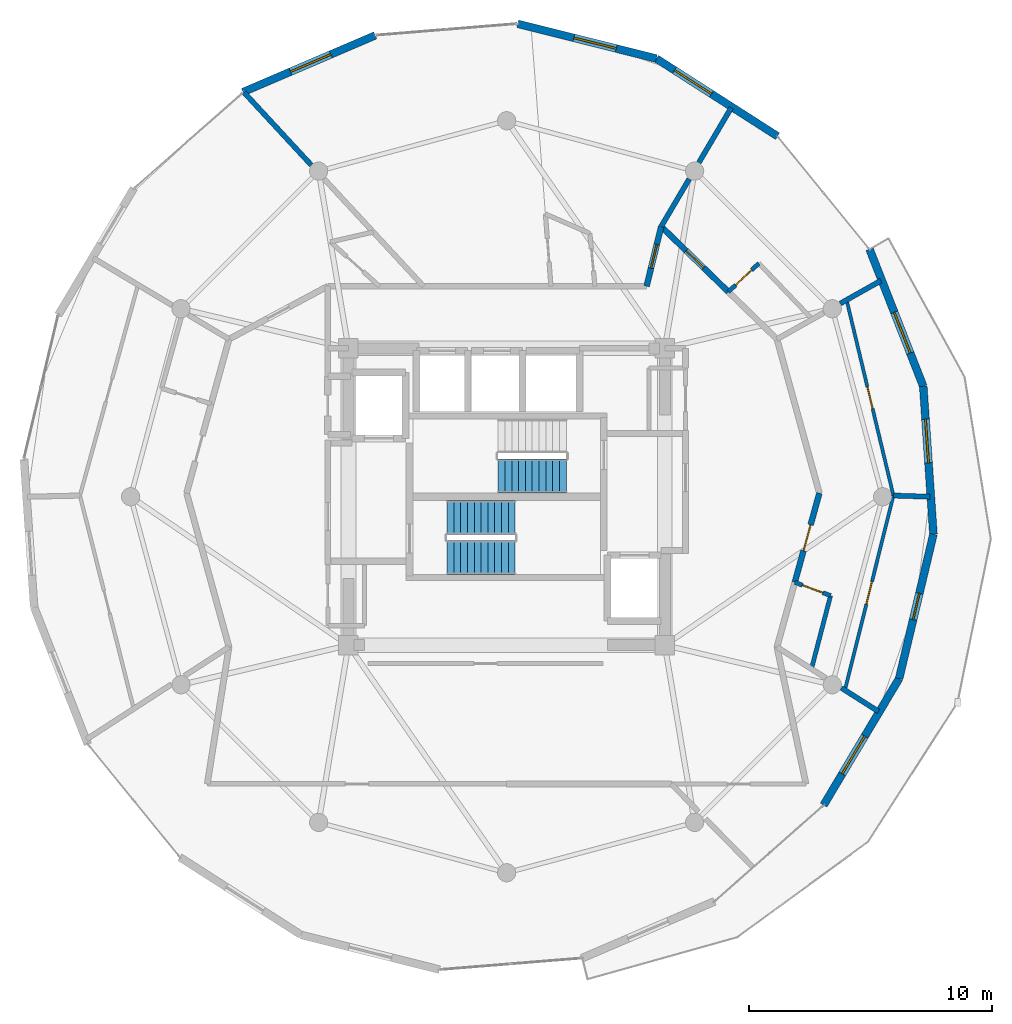
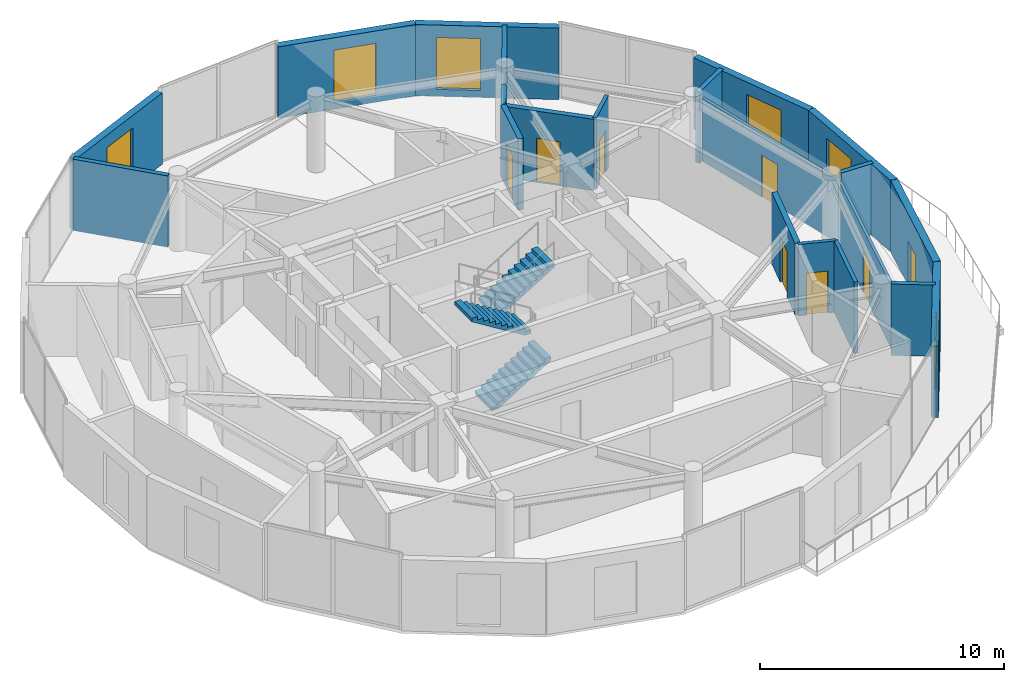
# One storey, part 19 of 22: 21 walls, 8 doors, 6 windows, 3 stair flights, 14 openings, 2 elements without a shape of their own.
"""IFC4 building model written with IfcOpenShell, lengths in metres."""

from ifc_helpers import new_model, si_unit, direction, frame, frame_2d, origin, place, context, subcontext, project, spatial, polyline, rectangle, outline, extrude, material, layer, layer_set, type_object, element, fill, aggregate, save


model = new_model("IFC4")

# Units and contexts
model_context = context("Model", 3, precision=1e-05, world=origin(), true_north=direction((0.0, 1.0)))
body_context = subcontext(model_context, "Body", "Model", "MODEL_VIEW")
ifc_project = project(units=[si_unit("LENGTHUNIT", "METRE"), si_unit("AREAUNIT", "SQUARE_METRE"), si_unit("VOLUMEUNIT", "CUBIC_METRE"), si_unit("PLANEANGLEUNIT", "RADIAN"), si_unit("MASSUNIT", "GRAM", prefix="KILO")], contexts=[model_context])

# Site, building, storey
site_placement = place(None, origin())
site = spatial("IfcSite", under=ifc_project, at=site_placement, CompositionType="ELEMENT")
building_placement = place(site_placement, origin())
building = spatial("IfcBuilding", under=site, at=building_placement, Name="Solvirekh Grand Hotel", CompositionType="ELEMENT")
storey_placement = place(building_placement, frame((0.0, 0.0, 293.39990234375)))
storey = spatial("IfcBuildingStorey", under=building, at=storey_placement, Name="L76", CompositionType="ELEMENT", Elevation=293.39990234375)

# Wall, opening, window
ifc_material_1 = material(Name="Precast concrete C45/55", Category="concrete")
ifc_layer_1 = layer(ifc_material_1, 0.320068359375)
ifc_layer_set_1 = layer_set([ifc_layer_1], Name="Precast concrete C45/55")
wall_type_1 = type_object("IfcWallType", Name="ExtLobbyWall_RC320", PredefinedType="SOLIDWALL", material=ifc_layer_set_1)
wall_1_placement = place(storey_placement, frame((16.1259765625, -7.472900390625, 0.0), z_axis=(0.0, 0.0, 1.0), x_axis=(-0.512459907896, -0.858711152134, 0.0)))
wall_1 = element("IfcWall", 1, at=wall_1_placement, inside=storey, type_object=wall_type_1, Name="L76 exterior structural wall chord 4", PredefinedType="SOLIDWALL", context=body_context, shape_type="SweptSolid", body=[
    extrude(rectangle(XDim=6.05322265625, YDim=0.320068359375, at=frame_2d((3.026611328125, 0.0))), origin(), (0.0, 0.0, 1.0), 3.570068359375),
])
opening_1_placement = place(wall_1_placement, frame((2.75390625, 0.0, 0.35009765625)))
opening_1 = element("IfcOpeningElement", 2, at=opening_1_placement, cuts=wall_1, Name="Opening W02", PredefinedType="OPENING", context=body_context, shape_type="SweptSolid", body=[
    extrude(rectangle(XDim=1.800048828125, YDim=2.60009765625, at=frame_2d((0.89990234375, 1.300048828125))), frame((0.0, 0.169921875, 0.0), z_axis=(0.0, -1.0, 0.0), x_axis=(1.0, 0.0, 0.0)), (0.0, 0.0, 1.0), 0.340087890625),
])
ifc_material_2 = material(Name="Low-E Tinted Bronze Laminated Glass", Category="aluminium")
window_type = type_object("IfcWindowType", Name="Win_LobbyExt_1800X2600", PartitioningType="SINGLE_PANEL", PredefinedType="WINDOW", material=ifc_material_2)
window_1_placement = place(opening_1_placement, origin())
window_1 = element("IfcWindow", 3, at=window_1_placement, inside=storey, type_object=window_type, Name="L76 panoramic bronze-framed window 4", OverallHeight=2.60009765625, OverallWidth=1.800048828125, PartitioningType="SINGLE_PANEL", PredefinedType="WINDOW", context=body_context, shape_type="SweptSolid", body=[
    extrude(rectangle(XDim=1.800048828125, YDim=2.60009765625, at=frame_2d((0.89990234375, 1.300048828125))), frame((0.0, 0.030029296875, 0.0), z_axis=(0.0, -1.0, 0.0), x_axis=(1.0, 0.0, 0.0)), (0.0, 0.0, 1.0), 0.06005859375),
])
fill(opening_1, window_1)

# Wall, opening, door
wall_2_placement = place(storey_placement, frame((17.535888671875, -1.54296875, 0.0), z_axis=(0.0, 0.0, 1.0), x_axis=(-0.23131366192, -0.972879226733, 0.0)))
wall_2 = element("IfcWall", 4, at=wall_2_placement, inside=storey, type_object=wall_type_1, Name="L76 exterior structural wall chord 5", PredefinedType="SOLIDWALL", context=body_context, shape_type="SweptSolid", body=[
    extrude(rectangle(XDim=6.09521484375, YDim=0.320068359375, at=frame_2d((3.047607421875, 0.0))), origin(), (0.0, 0.0, 1.0), 3.570068359375),
])
opening_2_placement = place(wall_2_placement, frame((2.498046875, 0.0, 0.0)))
opening_2 = element("IfcOpeningElement", 5, at=opening_2_placement, cuts=wall_2, Name="Opening D03", PredefinedType="OPENING", context=body_context, shape_type="SweptSolid", body=[
    extrude(rectangle(XDim=1.10009765625, YDim=2.199951171875, at=frame_2d((0.550048828125, 1.10009765625))), frame((0.0, 0.169921875, 0.0), z_axis=(0.0, -1.0, 0.0), x_axis=(1.0, 0.0, 0.0)), (0.0, 0.0, 1.0), 0.340087890625),
])
ifc_material_3 = material(Name="Anodized Bronze Aluminium 6063-T6", Category="aluminium")
door_type_1 = type_object("IfcDoorType", Name="Door_ExtBalcony_1100X2200", OperationType="NOTDEFINED", PredefinedType="DOOR", material=ifc_material_3)
door_1_placement = place(opening_2_placement, origin())
door_1 = element("IfcDoor", 6, at=door_1_placement, inside=storey, type_object=door_type_1, Name="L76 Crescent balcony glazed door (5)", OperationType="SINGLE_SWING_RIGHT", OverallHeight=2.199951171875, OverallWidth=1.10009765625, PredefinedType="DOOR", context=body_context, shape_type="SweptSolid", body=[
    extrude(rectangle(XDim=1.10009765625, YDim=2.199951171875, at=frame_2d((0.550048828125, 1.10009765625))), frame((0.0, 0.02490234375, 0.0), z_axis=(0.0, -1.0, 0.0), x_axis=(1.0, 0.0, 0.0)), (0.0, 0.0, 1.0), 0.050048828125),
])
fill(opening_2, door_1)

# Wall, opening, window
wall_3_placement = place(storey_placement, frame((17.117919921875, 4.5380859375, 0.0), z_axis=(0.0, 0.0, 1.0), x_axis=(0.068571155559, -0.997646228192, 0.0)))
wall_3 = element("IfcWall", 7, at=wall_3_placement, inside=storey, type_object=wall_type_1, Name="L76 exterior structural wall chord 6", PredefinedType="SOLIDWALL", context=body_context, shape_type="SweptSolid", body=[
    extrude(rectangle(XDim=6.095458984375, YDim=0.320068359375, at=frame_2d((3.0478515625, 0.0))), origin(), (0.0, 0.0, 1.0), 3.570068359375),
])
opening_3_placement = place(wall_3_placement, frame((1.35400390625, 0.0, 0.35009765625)))
opening_3 = element("IfcOpeningElement", 8, at=opening_3_placement, cuts=wall_3, Name="Opening W02", PredefinedType="OPENING", context=body_context, shape_type="SweptSolid", body=[
    extrude(rectangle(XDim=1.800048828125, YDim=2.60009765625, at=frame_2d((0.89990234375, 1.300048828125))), frame((0.0, 0.169921875, 0.0), z_axis=(0.0, -1.0, 0.0), x_axis=(1.0, 0.0, 0.0)), (0.0, 0.0, 1.0), 0.340087890625),
])
window_2_placement = place(opening_3_placement, origin())
window_2 = element("IfcWindow", 9, at=window_2_placement, inside=storey, type_object=window_type, Name="L76 panoramic bronze-framed window 6", OverallHeight=2.60009765625, OverallWidth=1.800048828125, PartitioningType="SINGLE_PANEL", PredefinedType="WINDOW", context=body_context, shape_type="SweptSolid", body=[
    extrude(rectangle(XDim=1.800048828125, YDim=2.60009765625, at=frame_2d((0.89990234375, 1.300048828125))), frame((0.0, 0.030029296875, 0.0), z_axis=(0.0, -1.0, 0.0), x_axis=(1.0, 0.0, 0.0)), (0.0, 0.0, 1.0), 0.06005859375),
])
fill(opening_3, window_2)

wall_4_placement = place(storey_placement, frame((14.910888671875, 10.175048828125, 0.0), z_axis=(0.0, 0.0, 1.0), x_axis=(0.364580296342, -0.931171953787, 0.0)))
wall_4 = element("IfcWall", 10, at=wall_4_placement, inside=storey, type_object=wall_type_1, Name="L76 exterior structural wall chord 7", PredefinedType="SOLIDWALL", context=body_context, shape_type="SweptSolid", body=[
    extrude(rectangle(XDim=6.0537109375, YDim=0.320068359375, at=frame_2d((3.02685546875, 0.0))), origin(), (0.0, 0.0, 1.0), 3.570068359375),
])
opening_4_placement = place(wall_4_placement, frame((2.7890625, 0.0, 0.35009765625)))
opening_4 = element("IfcOpeningElement", 11, at=opening_4_placement, cuts=wall_4, Name="Opening W02", PredefinedType="OPENING", context=body_context, shape_type="SweptSolid", body=[
    extrude(rectangle(XDim=1.800048828125, YDim=2.60009765625, at=frame_2d((0.89990234375, 1.300048828125))), frame((0.0, 0.169921875, 0.0), z_axis=(0.0, -1.0, 0.0), x_axis=(1.0, 0.0, 0.0)), (0.0, 0.0, 1.0), 0.340087890625),
])
window_3_placement = place(opening_4_placement, origin())
window_3 = element("IfcWindow", 12, at=window_3_placement, inside=storey, type_object=window_type, Name="L76 panoramic bronze-framed window 7", OverallHeight=2.60009765625, OverallWidth=1.800048828125, PartitioningType="SINGLE_PANEL", PredefinedType="WINDOW", context=body_context, shape_type="SweptSolid", body=[
    extrude(rectangle(XDim=1.800048828125, YDim=2.60009765625, at=frame_2d((0.89990234375, 1.300048828125))), frame((0.0, 0.030029296875, 0.0), z_axis=(0.0, -1.0, 0.0), x_axis=(1.0, 0.0, 0.0)), (0.0, 0.0, 1.0), 0.06005859375),
])
fill(opening_4, window_3)

wall_5_placement = place(storey_placement, frame((6.14990234375, 18.006103515625, 0.0), z_axis=(0.0, 0.0, 1.0), x_axis=(0.842074251432, -0.539361618095, 0.0)))
wall_5 = element("IfcWall", 13, at=wall_5_placement, inside=storey, type_object=wall_type_1, Name="L76 exterior structural wall chord 9", PredefinedType="SOLIDWALL", context=body_context, shape_type="SweptSolid", body=[
    extrude(rectangle(XDim=5.91650390625, YDim=0.320068359375, at=frame_2d((2.958251953125, 0.0))), origin(), (0.0, 0.0, 1.0), 3.570068359375),
])
opening_5_placement = place(wall_5_placement, frame((0.89208984375, 0.0, 0.35009765625)))
opening_5 = element("IfcOpeningElement", 14, at=opening_5_placement, cuts=wall_5, Name="Opening W02", PredefinedType="OPENING", context=body_context, shape_type="SweptSolid", body=[
    extrude(rectangle(XDim=1.800048828125, YDim=2.60009765625, at=frame_2d((0.89990234375, 1.300048828125))), frame((0.0, 0.169921875, 0.0), z_axis=(0.0, -1.0, 0.0), x_axis=(1.0, 0.0, 0.0)), (0.0, 0.0, 1.0), 0.340087890625),
])
window_4_placement = place(opening_5_placement, origin())
window_4 = element("IfcWindow", 15, at=window_4_placement, inside=storey, type_object=window_type, Name="L76 panoramic bronze-framed window 9", OverallHeight=2.60009765625, OverallWidth=1.800048828125, PartitioningType="SINGLE_PANEL", PredefinedType="WINDOW", context=body_context, shape_type="SweptSolid", body=[
    extrude(rectangle(XDim=1.800048828125, YDim=2.60009765625, at=frame_2d((0.89990234375, 1.300048828125))), frame((0.0, 0.030029296875, 0.0), z_axis=(0.0, -1.0, 0.0), x_axis=(1.0, 0.0, 0.0)), (0.0, 0.0, 1.0), 0.06005859375),
])
fill(opening_5, window_4)

wall_6_placement = place(storey_placement, frame((0.455078125, 19.43408203125, 0.0), z_axis=(0.0, 0.0, 1.0), x_axis=(0.96997103321, -0.243220465285, 0.0)))
wall_6 = element("IfcWall", 16, at=wall_6_placement, inside=storey, type_object=wall_type_1, Name="L76 exterior structural wall chord 10", PredefinedType="SOLIDWALL", context=body_context, shape_type="SweptSolid", body=[
    extrude(rectangle(XDim=5.87109375, YDim=0.320068359375, at=frame_2d((2.935546875, 0.0))), origin(), (0.0, 0.0, 1.0), 3.570068359375),
])
opening_6_placement = place(wall_6_placement, frame((2.3759765625, 0.0, 0.35009765625)))
opening_6 = element("IfcOpeningElement", 17, at=opening_6_placement, cuts=wall_6, Name="Opening W02", PredefinedType="OPENING", context=body_context, shape_type="SweptSolid", body=[
    extrude(rectangle(XDim=1.800048828125, YDim=2.60009765625, at=frame_2d((0.89990234375, 1.300048828125))), frame((0.0, 0.169921875, 0.0), z_axis=(0.0, -1.0, 0.0), x_axis=(1.0, 0.0, 0.0)), (0.0, 0.0, 1.0), 0.340087890625),
])
window_5_placement = place(opening_6_placement, origin())
window_5 = element("IfcWindow", 18, at=window_5_placement, inside=storey, type_object=window_type, Name="L76 panoramic bronze-framed window 10", OverallHeight=2.60009765625, OverallWidth=1.800048828125, PartitioningType="SINGLE_PANEL", PredefinedType="WINDOW", context=body_context, shape_type="SweptSolid", body=[
    extrude(rectangle(XDim=1.800048828125, YDim=2.60009765625, at=frame_2d((0.89990234375, 1.300048828125))), frame((0.0, 0.030029296875, 0.0), z_axis=(0.0, -1.0, 0.0), x_axis=(1.0, 0.0, 0.0)), (0.0, 0.0, 1.0), 0.06005859375),
])
fill(opening_6, window_5)

wall_7_placement = place(storey_placement, frame((-10.8349609375, 16.62890625, 0.0), z_axis=(0.0, 0.0, 1.0), x_axis=(0.919149299583, 0.393909336112, 0.0)))
wall_7 = element("IfcWall", 19, at=wall_7_placement, inside=storey, type_object=wall_type_1, Name="L76 exterior structural wall chord 12", PredefinedType="SOLIDWALL", context=body_context, shape_type="SweptSolid", body=[
    extrude(rectangle(XDim=5.915283203125, YDim=0.320068359375, at=frame_2d((2.95751953125, 0.0))), origin(), (0.0, 0.0, 1.0), 3.570068359375),
])
opening_7_placement = place(wall_7_placement, frame((2.1259765625, 0.0, 0.35009765625)))
opening_7 = element("IfcOpeningElement", 20, at=opening_7_placement, cuts=wall_7, Name="Opening W02", PredefinedType="OPENING", context=body_context, shape_type="SweptSolid", body=[
    extrude(rectangle(XDim=1.800048828125, YDim=2.60009765625, at=frame_2d((0.89990234375, 1.300048828125))), frame((0.0, 0.169921875, 0.0), z_axis=(0.0, -1.0, 0.0), x_axis=(1.0, 0.0, 0.0)), (0.0, 0.0, 1.0), 0.340087890625),
])
window_6_placement = place(opening_7_placement, origin())
window_6 = element("IfcWindow", 21, at=window_6_placement, inside=storey, type_object=window_type, Name="L76 panoramic bronze-framed window 12", OverallHeight=2.60009765625, OverallWidth=1.800048828125, PartitioningType="SINGLE_PANEL", PredefinedType="WINDOW", context=body_context, shape_type="SweptSolid", body=[
    extrude(rectangle(XDim=1.800048828125, YDim=2.60009765625, at=frame_2d((0.89990234375, 1.300048828125))), frame((0.0, 0.030029296875, 0.0), z_axis=(0.0, -1.0, 0.0), x_axis=(1.0, 0.0, 0.0)), (0.0, 0.0, 1.0), 0.06005859375),
])
fill(opening_7, window_6)

# Wall, opening, door
ifc_material_4 = material(Name="Acoustic Gypsum Partition Assembly")
ifc_layer_2 = layer(ifc_material_4, 0.239990234375)
ifc_layer_set_2 = layer_set([ifc_layer_2], Name="Acoustic Gypsum Partition Assembly")
wall_type_2 = type_object("IfcWallType", Name="Part_Corridor_240", PredefinedType="PARTITIONING", material=ifc_layer_set_2)
wall_8_placement = place(storey_placement, frame((5.75, 8.64990234375, 0.0), z_axis=(0.0, 0.0, 1.0), x_axis=(0.237440936779, 0.97140197732, 0.0)))
wall_8 = element("IfcWall", 22, at=wall_8_placement, inside=storey, type_object=wall_type_2, Name="L76 Deluxe Guestroom 7801 entrance wall", PredefinedType="PARTITIONING", context=body_context, shape_type="SweptSolid", body=[
    extrude(rectangle(XDim=2.52734375, YDim=0.239990234375, at=frame_2d((1.263671875, 0.0))), origin(), (0.0, 0.0, 1.0), 3.570068359375),
])
opening_8_placement = place(wall_8_placement, frame((0.763916015625, 0.0, 0.0)))
opening_8 = element("IfcOpeningElement", 23, at=opening_8_placement, cuts=wall_8, Name="Opening D07", PredefinedType="OPENING", context=body_context, shape_type="SweptSolid", body=[
    extrude(rectangle(XDim=1.0, YDim=2.199951171875, at=frame_2d((0.5, 1.10009765625))), frame((0.0, 0.1298828125, 0.0), z_axis=(0.0, -1.0, 0.0), x_axis=(1.0, 0.0, 0.0)), (0.0, 0.0, 1.0), 0.260009765625),
])
ifc_material_5 = material(Name="Fire-Rated Steel Door Assembly", Category="steel")
door_type_2 = type_object("IfcDoorType", Name="Door_GuestEntry_1000X2200", OperationType="NOTDEFINED", PredefinedType="DOOR", material=ifc_material_5)
door_2_placement = place(opening_8_placement, origin())
door_2 = element("IfcDoor", 24, at=door_2_placement, inside=storey, type_object=door_type_2, Name="L76 Deluxe Guestroom 7801 entrance door", OperationType="SINGLE_SWING_RIGHT", OverallHeight=2.199951171875, OverallWidth=1.0, PredefinedType="DOOR", context=body_context, shape_type="SweptSolid", body=[
    extrude(rectangle(XDim=1.0, YDim=2.199951171875, at=frame_2d((0.5, 1.10009765625))), frame((0.0, 0.02490234375, 0.0), z_axis=(0.0, -1.0, 0.0), x_axis=(1.0, 0.0, 0.0)), (0.0, 0.0, 1.0), 0.050048828125),
])
fill(opening_8, door_2)

wall_9_placement = place(storey_placement, frame((11.840087890625, -3.51806640625, 0.0), z_axis=(0.0, 0.0, 1.0), x_axis=(0.265478632156, 0.9641167439, 0.0)))
wall_9 = element("IfcWall", 25, at=wall_9_placement, inside=storey, type_object=wall_type_2, Name="L76 Executive Suite 7804 Living Room entrance wall", PredefinedType="PARTITIONING", context=body_context, shape_type="SweptSolid", body=[
    extrude(rectangle(XDim=3.804443359375, YDim=0.239990234375, at=frame_2d((1.90234375, 0.0))), origin(), (0.0, 0.0, 1.0), 3.570068359375),
])
opening_9_placement = place(wall_9_placement, frame((1.35205078125, 0.0, 0.0)))
opening_9 = element("IfcOpeningElement", 26, at=opening_9_placement, cuts=wall_9, Name="Opening D08", PredefinedType="OPENING", context=body_context, shape_type="SweptSolid", body=[
    extrude(rectangle(XDim=1.10009765625, YDim=2.300048828125, at=frame_2d((0.550048828125, 1.14990234375))), frame((0.0, 0.1298828125, 0.0), z_axis=(0.0, -1.0, 0.0), x_axis=(1.0, 0.0, 0.0)), (0.0, 0.0, 1.0), 0.260009765625),
])
door_type_3 = type_object("IfcDoorType", Name="Door_SuiteEntry_1100X2300", OperationType="NOTDEFINED", PredefinedType="DOOR", material=ifc_material_5)
door_3_placement = place(opening_9_placement, origin())
door_3 = element("IfcDoor", 27, at=door_3_placement, inside=storey, type_object=door_type_3, Name="L76 Executive Suite 7804 Living Room entrance door", OperationType="SINGLE_SWING_LEFT", OverallHeight=2.300048828125, OverallWidth=1.10009765625, PredefinedType="DOOR", context=body_context, shape_type="SweptSolid", body=[
    extrude(rectangle(XDim=1.10009765625, YDim=2.300048828125, at=frame_2d((0.550048828125, 1.14990234375))), frame((0.0, 0.02490234375, 0.0), z_axis=(0.0, -1.0, 0.0), x_axis=(1.0, 0.0, 0.0)), (0.0, 0.0, 1.0), 0.050048828125),
])
fill(opening_9, door_3)

wall_10_placement = place(storey_placement, frame((9.110107421875, 8.419921875, 0.0), z_axis=(0.0, 0.0, 1.0), x_axis=(-0.716772179107, 0.697307423779, 0.0)))
wall_10 = element("IfcWall", 28, at=wall_10_placement, inside=storey, type_object=wall_type_2, Name="L76 Deluxe Guestroom 7805 entrance wall", PredefinedType="PARTITIONING", context=body_context, shape_type="SweptSolid", body=[
    extrude(rectangle(XDim=3.8505859375, YDim=0.239990234375, at=frame_2d((1.92529296875, 0.0))), origin(), (0.0, 0.0, 1.0), 3.570068359375),
])
opening_10_placement = place(wall_10_placement, frame((1.425048828125, 0.0, 0.0)))
opening_10 = element("IfcOpeningElement", 29, at=opening_10_placement, cuts=wall_10, Name="Opening D07", PredefinedType="OPENING", context=body_context, shape_type="SweptSolid", body=[
    extrude(rectangle(XDim=1.0, YDim=2.199951171875, at=frame_2d((0.5, 1.10009765625))), frame((0.0, 0.1298828125, 0.0), z_axis=(0.0, -1.0, 0.0), x_axis=(1.0, 0.0, 0.0)), (0.0, 0.0, 1.0), 0.260009765625),
])
door_4_placement = place(opening_10_placement, origin())
door_4 = element("IfcDoor", 30, at=door_4_placement, inside=storey, type_object=door_type_2, Name="L76 Deluxe Guestroom 7805 entrance door", OperationType="SINGLE_SWING_LEFT", OverallHeight=2.199951171875, OverallWidth=1.0, PredefinedType="DOOR", context=body_context, shape_type="SweptSolid", body=[
    extrude(rectangle(XDim=1.0, YDim=2.199951171875, at=frame_2d((0.5, 1.10009765625))), frame((0.0, 0.02490234375, 0.0), z_axis=(0.0, -1.0, 0.0), x_axis=(1.0, 0.0, 0.0)), (0.0, 0.0, 1.0), 0.050048828125),
])
fill(opening_10, door_4)

ifc_layer_3 = layer(ifc_material_4, 0.135009765625)
ifc_layer_set_3 = layer_set([ifc_layer_3], Name="Acoustic Gypsum Partition Assembly")
wall_type_3 = type_object("IfcWallType", Name="Part_RoomInt_135", PredefinedType="PARTITIONING", material=ifc_layer_set_3)
wall_11_placement = place(storey_placement, frame((13.90087890625, -7.947021484375, 0.0), z_axis=(0.0, 0.0, 1.0), x_axis=(0.241643206993, 0.970365168642, 0.0)))
wall_11 = element("IfcWall", 31, at=wall_11_placement, inside=storey, type_object=wall_type_3, Name="L76 Executive Suite 7804 Living Room bedroom screen wall", PredefinedType="PARTITIONING", context=body_context, shape_type="SweptSolid", body=[
    extrude(rectangle(XDim=8.240234375, YDim=0.135009765625, at=frame_2d((4.1201171875, 0.0))), origin(), (0.0, 0.0, 1.0), 3.13818359375),
])
opening_11_placement = place(wall_11_placement, frame((3.64501953125, 0.0, 0.0)))
opening_11 = element("IfcOpeningElement", 32, at=opening_11_placement, cuts=wall_11, Name="Opening D10", PredefinedType="OPENING", context=body_context, shape_type="SweptSolid", body=[
    extrude(rectangle(XDim=0.949951171875, YDim=2.10009765625, at=frame_2d((0.47509765625, 1.050048828125))), frame((0.0, 0.07763671875, 0.0), z_axis=(0.0, -1.0, 0.0), x_axis=(1.0, 0.0, 0.0)), (0.0, 0.0, 1.0), 0.155029296875),
])
door_type_4 = type_object("IfcDoorType", Name="Door_RoomInt_950X2100", OperationType="NOTDEFINED", PredefinedType="DOOR", material=ifc_material_3)
door_5_placement = place(opening_11_placement, origin())
door_5 = element("IfcDoor", 33, at=door_5_placement, inside=storey, type_object=door_type_4, Name="L76 Executive Suite 7804 Living Room master bedroom door", OperationType="SINGLE_SWING_RIGHT", OverallHeight=2.10009765625, OverallWidth=0.949951171875, PredefinedType="DOOR", context=body_context, shape_type="SweptSolid", body=[
    extrude(rectangle(XDim=0.949951171875, YDim=2.10009765625, at=frame_2d((0.47509765625, 1.050048828125))), frame((0.0, 0.02490234375, 0.0), z_axis=(0.0, -1.0, 0.0), x_axis=(1.0, 0.0, 0.0)), (0.0, 0.0, 1.0), 0.050048828125),
])
fill(opening_11, door_5)

wall_12_placement = place(storey_placement, frame((15.89208984375, 0.049072265625, 0.0), z_axis=(0.0, 0.0, 1.0), x_axis=(-0.232853291141, 0.972511873863, 0.0)))
wall_12 = element("IfcWall", 34, at=wall_12_placement, inside=storey, type_object=wall_type_3, Name="L76 Executive Suite 7804 Panorama Suite Study bedroom screen wall", PredefinedType="PARTITIONING", context=body_context, shape_type="SweptSolid", body=[
    extrude(rectangle(XDim=8.262939453125, YDim=0.135009765625, at=frame_2d((4.13134765625, 0.0))), origin(), (0.0, 0.0, 1.0), 3.13818359375),
])
opening_12_placement = place(wall_12_placement, frame((3.656982421875, 0.0, 0.0)))
opening_12 = element("IfcOpeningElement", 35, at=opening_12_placement, cuts=wall_12, Name="Opening D10", PredefinedType="OPENING", context=body_context, shape_type="SweptSolid", body=[
    extrude(rectangle(XDim=0.949951171875, YDim=2.10009765625, at=frame_2d((0.47509765625, 1.050048828125))), frame((0.0, 0.07763671875, 0.0), z_axis=(0.0, -1.0, 0.0), x_axis=(1.0, 0.0, 0.0)), (0.0, 0.0, 1.0), 0.155029296875),
])
door_6_placement = place(opening_12_placement, origin())
door_6 = element("IfcDoor", 36, at=door_6_placement, inside=storey, type_object=door_type_4, Name="L76 Executive Suite 7804 Panorama Suite Study master bedroom door", OperationType="SINGLE_SWING_LEFT", OverallHeight=2.10009765625, OverallWidth=0.949951171875, PredefinedType="DOOR", context=body_context, shape_type="SweptSolid", body=[
    extrude(rectangle(XDim=0.949951171875, YDim=2.10009765625, at=frame_2d((0.47509765625, 1.050048828125))), frame((0.0, 0.02490234375, 0.0), z_axis=(0.0, -1.0, 0.0), x_axis=(1.0, 0.0, 0.0)), (0.0, 0.0, 1.0), 0.050048828125),
])
fill(opening_12, door_6)

# Walls
ifc_layer_4 = layer(ifc_material_4, 0.2099609375)
ifc_layer_set_4 = layer_set([ifc_layer_4], Name="Acoustic Gypsum Partition Assembly")
wall_type_4 = type_object("IfcWallType", Name="Part_SuiteDemise_210", PredefinedType="PARTITIONING", material=ifc_layer_set_4)
wall_13_placement = place(storey_placement, frame((13.7109375, 7.94091796875, 0.0), z_axis=(0.0, 0.0, 1.0), x_axis=(0.871479967714, 0.490431102065, 0.0)))
element("IfcWall", 37, at=wall_13_placement, inside=storey, type_object=wall_type_4, Name="L76 suite radial wall 2 (B)", PredefinedType="PARTITIONING", context=body_context, shape_type="SweptSolid", body=[
    extrude(rectangle(XDim=1.91064453125, YDim=0.2099609375, at=frame_2d((0.955322265625, 0.0))), origin(), (0.0, 0.0, 1.0), 3.570068359375),
])
wall_14_placement = place(storey_placement, frame((6.35009765625, 11.10498046875, 0.0), z_axis=(0.0, 0.0, 1.0), x_axis=(0.50828242616, 0.86119044076, 0.0)))
element("IfcWall", 38, at=wall_14_placement, inside=storey, type_object=wall_type_4, Name="L76 suite radial wall 3 (A)", PredefinedType="PARTITIONING", context=body_context, shape_type="SweptSolid", body=[
    extrude(rectangle(XDim=2.26416015625, YDim=0.2099609375, at=frame_2d((1.132080078125, 0.0))), origin(), (0.0, 0.0, 1.0), 3.010986328125),
])
wall_15_placement = place(storey_placement, frame((7.90087890625, 13.73388671875, 0.0), z_axis=(0.0, 0.0, 1.0), x_axis=(0.508235422894, 0.861218180786, 0.0)))
element("IfcWall", 39, at=wall_15_placement, inside=storey, type_object=wall_type_4, Name="L76 suite radial wall 3 (B)", PredefinedType="PARTITIONING", context=body_context, shape_type="SweptSolid", body=[
    extrude(rectangle(XDim=2.615234375, YDim=0.2099609375, at=frame_2d((1.3076171875, 0.0))), origin(), (0.0, 0.0, 1.0), 3.570068359375),
])
wall_16_placement = place(storey_placement, frame((13.7529296875, -7.85400390625, 0.0), z_axis=(0.0, 0.0, 1.0), x_axis=(0.844435400929, -0.535657403251, 0.0)))
element("IfcWall", 40, at=wall_16_placement, inside=storey, type_object=wall_type_4, Name="L76 suite radial wall 12 (B)", PredefinedType="PARTITIONING", context=body_context, shape_type="SweptSolid", body=[
    extrude(rectangle(XDim=1.803466796875, YDim=0.2099609375, at=frame_2d((0.90185546875, 0.0))), origin(), (0.0, 0.0, 1.0), 3.570068359375),
])
wall_17_placement = place(storey_placement, frame((-8.030029296875, 13.631103515625, 0.0), z_axis=(0.0, 0.0, 1.0), x_axis=(-0.67921956095, 0.733935138839, 0.0)))
element("IfcWall", 41, at=wall_17_placement, inside=storey, type_object=wall_type_4, Name="L76 Panorama Suite 7801 North Observatory Study dividing partition 1 (B)", PredefinedType="PARTITIONING", context=body_context, shape_type="SweptSolid", body=[
    extrude(rectangle(XDim=4.055908203125, YDim=0.2099609375, at=frame_2d((2.02783203125, 0.0))), origin(), (0.0, 0.0, 1.0), 3.570068359375),
])
wall_18_placement = place(storey_placement, frame((15.89208984375, 0.049072265625, 0.0), z_axis=(0.0, 0.0, 1.0), x_axis=(0.99946372997, -0.032745266459, 0.0)))
element("IfcWall", 42, at=wall_18_placement, inside=storey, type_object=wall_type_4, Name="L76 Executive Suite 7804 Living Room dividing partition 1", PredefinedType="PARTITIONING", context=body_context, shape_type="SweptSolid", body=[
    extrude(rectangle(XDim=1.49853515625, YDim=0.2099609375, at=frame_2d((0.749267578125, 0.0))), origin(), (0.0, 0.0, 1.0), 3.570068359375),
])
ifc_layer_5 = layer(ifc_material_4, 0.175048828125)
ifc_layer_set_5 = layer_set([ifc_layer_5], Name="Acoustic Gypsum Partition Assembly")
wall_type_5 = type_object("IfcWallType", Name="Plumb_Ensuite_175", PredefinedType="PLUMBINGWALL", material=ifc_layer_set_5)
wall_19_placement = place(storey_placement, frame((12.52490234375, -7.073974609375, 0.0), z_axis=(0.0, 0.0, 1.0), x_axis=(0.252172913421, 0.967682190462, 0.0)))
element("IfcWall", 43, at=wall_19_placement, inside=storey, type_object=wall_type_5, Name="L76 En-suite Bathroom 7804 outer plumbing wall", PredefinedType="PLUMBINGWALL", context=body_context, shape_type="SweptSolid", body=[
    extrude(rectangle(XDim=3.113525390625, YDim=0.175048828125, at=frame_2d((1.556640625, 0.0))), origin(), (0.0, 0.0, 1.0), 3.570068359375),
])

# Wall, opening, door
wall_20_placement = place(storey_placement, frame((11.840087890625, -3.51806640625, 0.0), z_axis=(0.0, 0.0, 1.0), x_axis=(0.93805285267, -0.346492201352, 0.0)))
wall_20 = element("IfcWall", 44, at=wall_20_placement, inside=storey, type_object=wall_type_5, Name="L76 En-suite Bathroom 7804 entry plumbing wall", PredefinedType="PLUMBINGWALL", context=body_context, shape_type="SweptSolid", body=[
    extrude(rectangle(XDim=1.567138671875, YDim=0.175048828125, at=frame_2d((0.78369140625, 0.0))), origin(), (0.0, 0.0, 1.0), 3.570068359375),
])
opening_13_placement = place(wall_20_placement, frame((0.333984375, 0.0, 0.0)))
opening_13 = element("IfcOpeningElement", 45, at=opening_13_placement, cuts=wall_20, Name="Opening D09", PredefinedType="OPENING", context=body_context, shape_type="SweptSolid", body=[
    extrude(rectangle(XDim=0.89990234375, YDim=2.10009765625, at=frame_2d((0.449951171875, 1.050048828125))), frame((0.0, 0.09765625, 0.0), z_axis=(0.0, -1.0, 0.0), x_axis=(1.0, 0.0, 0.0)), (0.0, 0.0, 1.0), 0.195068359375),
])
door_type_5 = type_object("IfcDoorType", Name="Door_Ensuite_900X2100", OperationType="NOTDEFINED", PredefinedType="DOOR", material=ifc_material_3)
door_7_placement = place(opening_13_placement, origin())
door_7 = element("IfcDoor", 46, at=door_7_placement, inside=storey, type_object=door_type_5, Name="L76 En-suite Bathroom 7804 door", OperationType="SINGLE_SWING_RIGHT", OverallHeight=2.10009765625, OverallWidth=0.89990234375, PredefinedType="DOOR", context=body_context, shape_type="SweptSolid", body=[
    extrude(rectangle(XDim=0.89990234375, YDim=2.10009765625, at=frame_2d((0.449951171875, 1.050048828125))), frame((0.0, 0.02490234375, 0.0), z_axis=(0.0, -1.0, 0.0), x_axis=(1.0, 0.0, 0.0)), (0.0, 0.0, 1.0), 0.050048828125),
])
fill(opening_13, door_7)

wall_21_placement = place(storey_placement, frame((9.110107421875, 8.419921875, 0.0), z_axis=(0.0, 0.0, 1.0), x_axis=(0.730548551993, 0.682860756803, 0.0)))
wall_21 = element("IfcWall", 47, at=wall_21_placement, inside=storey, type_object=wall_type_5, Name="L76 En-suite Bathroom 7805 entry plumbing wall", PredefinedType="PLUMBINGWALL", context=body_context, shape_type="SweptSolid", body=[
    extrude(rectangle(XDim=1.715087890625, YDim=0.175048828125, at=frame_2d((0.857421875, 0.0))), origin(), (0.0, 0.0, 1.0), 3.570068359375),
])
opening_14_placement = place(wall_21_placement, frame((0.407958984375, 0.0, 0.0)))
opening_14 = element("IfcOpeningElement", 48, at=opening_14_placement, cuts=wall_21, Name="Opening D09", PredefinedType="OPENING", context=body_context, shape_type="SweptSolid", body=[
    extrude(rectangle(XDim=0.89990234375, YDim=2.10009765625, at=frame_2d((0.449951171875, 1.050048828125))), frame((0.0, 0.09765625, 0.0), z_axis=(0.0, -1.0, 0.0), x_axis=(1.0, 0.0, 0.0)), (0.0, 0.0, 1.0), 0.195068359375),
])
door_8_placement = place(opening_14_placement, origin())
door_8 = element("IfcDoor", 49, at=door_8_placement, inside=storey, type_object=door_type_5, Name="L76 En-suite Bathroom 7805 door", OperationType="SINGLE_SWING_RIGHT", OverallHeight=2.10009765625, OverallWidth=0.89990234375, PredefinedType="DOOR", context=body_context, shape_type="SweptSolid", body=[
    extrude(rectangle(XDim=0.89990234375, YDim=2.10009765625, at=frame_2d((0.449951171875, 1.050048828125))), frame((0.0, 0.02490234375, 0.0), z_axis=(0.0, -1.0, 0.0), x_axis=(1.0, 0.0, 0.0)), (0.0, 0.0, 1.0), 0.050048828125),
])
fill(opening_14, door_8)

# Stair, stair flights
ifc_material_6 = material(Name="Concrete C40/50", Category="concrete")
stair_type = type_object("IfcStairType", Name="Stair_Core_1450", PredefinedType="HALF_TURN_STAIR", material=ifc_material_6)
stair_1_placement = place(storey_placement, origin())
stair_1 = element("IfcStair", 50, at=stair_1_placement, inside=storey, type_object=stair_type, Name="L76 Enclosed exit stair ST-1", PredefinedType="HALF_TURN_STAIR")
stair_flight_type = type_object("IfcStairFlightType", Name="Flight_Core_1450", PredefinedType="STRAIGHT", material=ifc_material_6)
stair_flight_1_placement = place(storey_placement, frame((-2.449951171875, -2.5, 0.0), z_axis=(0.0, 0.0, 1.0), x_axis=(1.0, 0.0, 0.0)))
stair_flight_1 = element("IfcStairFlight", 51, at=stair_flight_1_placement, type_object=stair_flight_type, Name="ST-1 flight 1", NumberOfRisers=11, NumberOfTreads=10, PredefinedType="STRAIGHT", RiserHeight=0.172727273, TreadLength=0.28, context=body_context, shape_type="SweptSolid", body=[
    extrude(outline(polyline([(0.0, 0.0), (0.0, 0.172607421875), (0.280029296875, 0.172607421875), (0.280029296875, 0.345458984375), (0.56005859375, 0.345458984375), (0.56005859375, 0.51806640625), (0.840087890625, 0.51806640625), (0.840087890625, 0.69091796875), (1.1201171875, 0.69091796875), (1.1201171875, 0.863525390625), (1.39990234375, 0.863525390625), (1.39990234375, 1.036376953125), (1.679931640625, 1.036376953125), (1.679931640625, 1.208984375), (1.9599609375, 1.208984375), (1.9599609375, 1.3818359375), (2.239990234375, 1.3818359375), (2.239990234375, 1.554443359375), (2.52001953125, 1.554443359375), (2.52001953125, 1.727294921875), (2.800048828125, 1.727294921875), (2.800048828125, 1.89990234375), (2.800048828125, 1.551025390625), (0.285400390625, 0.0), (0.0, 0.0)])), frame((0.0, 0.699951171875, 0.0), z_axis=(0.0, -1.0, 0.0), x_axis=(1.0, 0.0, 0.0)), (0.0, 0.0, 1.0), 1.39990234375),
])
stair_flight_2_placement = place(storey_placement, frame((0.35009765625, -0.85009765625, 1.900146484375), z_axis=(0.0, 0.0, 1.0), x_axis=(-1.0, 0.0, 0.0)))
stair_flight_2 = element("IfcStairFlight", 52, at=stair_flight_2_placement, type_object=stair_flight_type, Name="ST-1 flight 2", NumberOfRisers=11, NumberOfTreads=10, PredefinedType="STRAIGHT", RiserHeight=0.172727273, TreadLength=0.28, context=body_context, shape_type="SweptSolid", body=[
    extrude(outline(polyline([(0.0, 0.0), (0.0, 0.172607421875), (0.280029296875, 0.172607421875), (0.280029296875, 0.345458984375), (0.56005859375, 0.345458984375), (0.56005859375, 0.51806640625), (0.840087890625, 0.51806640625), (0.840087890625, 0.69091796875), (1.1201171875, 0.69091796875), (1.1201171875, 0.863525390625), (1.39990234375, 0.863525390625), (1.39990234375, 1.036376953125), (1.679931640625, 1.036376953125), (1.679931640625, 1.208984375), (1.9599609375, 1.208984375), (1.9599609375, 1.3818359375), (2.239990234375, 1.3818359375), (2.239990234375, 1.554443359375), (2.52001953125, 1.554443359375), (2.52001953125, 1.727294921875), (2.800048828125, 1.727294921875), (2.800048828125, 1.89990234375), (2.800048828125, 1.551025390625), (0.285400390625, 0.0), (0.0, 0.0)])), frame((0.0, 0.699951171875, 0.0), z_axis=(0.0, -1.0, 0.0), x_axis=(1.0, 0.0, 0.0)), (0.0, 0.0, 1.0), 1.39990234375),
])
aggregate(stair_1, [stair_flight_1, stair_flight_2])

# Stair, stair flight
stair_2_placement = place(storey_placement, origin())
stair_2 = element("IfcStair", 53, at=stair_2_placement, inside=storey, type_object=stair_type, Name="L76 Enclosed exit stair ST-2", PredefinedType="HALF_TURN_STAIR")
stair_flight_3_placement = place(storey_placement, frame((-0.35009765625, 0.85009765625, 1.900146484375), z_axis=(0.0, 0.0, 1.0), x_axis=(1.0, 0.0, 0.0)))
stair_flight_3 = element("IfcStairFlight", 54, at=stair_flight_3_placement, type_object=stair_flight_type, Name="ST-2 flight 2", NumberOfRisers=11, NumberOfTreads=10, PredefinedType="STRAIGHT", RiserHeight=0.172727273, TreadLength=0.28, context=body_context, shape_type="SweptSolid", body=[
    extrude(outline(polyline([(0.0, 0.0), (0.0, 0.172607421875), (0.280029296875, 0.172607421875), (0.280029296875, 0.345458984375), (0.56005859375, 0.345458984375), (0.56005859375, 0.51806640625), (0.840087890625, 0.51806640625), (0.840087890625, 0.69091796875), (1.1201171875, 0.69091796875), (1.1201171875, 0.863525390625), (1.39990234375, 0.863525390625), (1.39990234375, 1.036376953125), (1.679931640625, 1.036376953125), (1.679931640625, 1.208984375), (1.9599609375, 1.208984375), (1.9599609375, 1.3818359375), (2.239990234375, 1.3818359375), (2.239990234375, 1.554443359375), (2.52001953125, 1.554443359375), (2.52001953125, 1.727294921875), (2.800048828125, 1.727294921875), (2.800048828125, 1.89990234375), (2.800048828125, 1.551025390625), (0.285400390625, 0.0), (0.0, 0.0)])), frame((0.0, 0.699951171875, 0.0), z_axis=(0.0, -1.0, 0.0), x_axis=(1.0, 0.0, 0.0)), (0.0, 0.0, 1.0), 1.39990234375),
])
aggregate(stair_2, [stair_flight_3])

save(model, "model.ifc")
